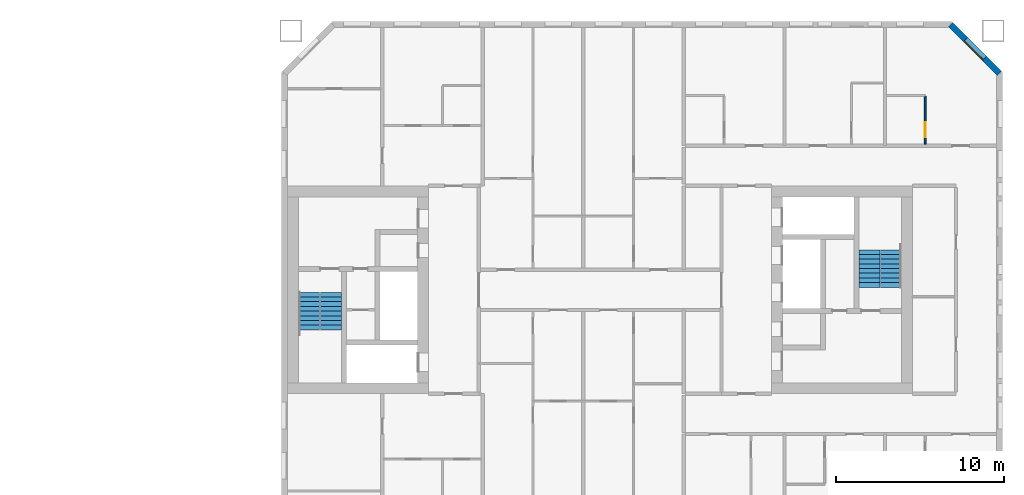
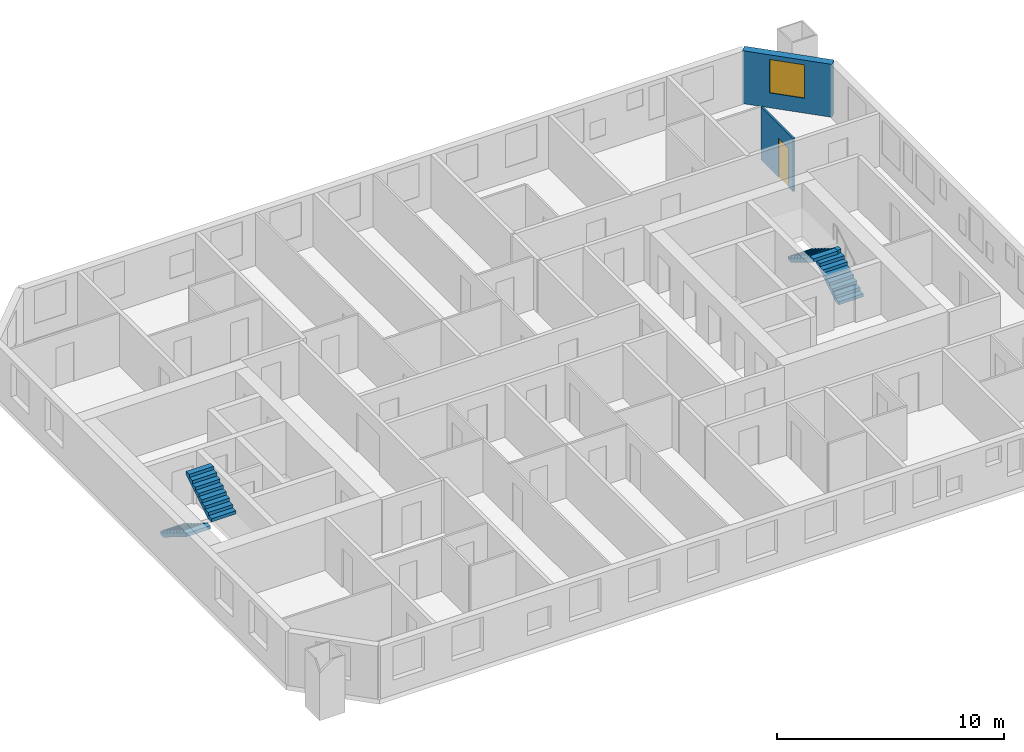
# One storey, part 15 of 17: 4 stair flights, 2 walls, 1 door, 1 window, 2 openings, 2 elements without a shape of their own.
"""IFC4 building model written with IfcOpenShell, lengths in metres."""

from ifc_helpers import new_model, si_unit, direction, frame, frame_2d, origin, place, context, subcontext, project, spatial, polyline, rectangle, outline, extrude, material, layer, layer_set, type_object, element, fill, aggregate, save


model = new_model("IFC4")

# Units and contexts
model_context = context("Model", 3, precision=1e-05, world=origin(), true_north=direction((0.0, 1.0)))
body_context = subcontext(model_context, "Body", "Model", "MODEL_VIEW")
ifc_project = project(units=[si_unit("LENGTHUNIT", "METRE"), si_unit("AREAUNIT", "SQUARE_METRE"), si_unit("VOLUMEUNIT", "CUBIC_METRE"), si_unit("PLANEANGLEUNIT", "RADIAN"), si_unit("MASSUNIT", "GRAM", prefix="KILO")], contexts=[model_context])

# Site, building, storey
site_placement = place(None, origin())
site = spatial("IfcSite", under=ifc_project, at=site_placement, CompositionType="ELEMENT")
building_placement = place(site_placement, origin())
building = spatial("IfcBuilding", under=site, at=building_placement, Name="Tuart Gate Housing", CompositionType="ELEMENT")
storey_placement = place(building_placement, frame((0.0, 0.0, 102.60009765625)))
storey = spatial("IfcBuildingStorey", under=building, at=storey_placement, Name="L28", CompositionType="ELEMENT", Elevation=102.60009765625)

# Wall, opening, window
ifc_material_1 = material(Name="Brick", Category="masonry")
ifc_layer_1 = layer(ifc_material_1, 0.360107421875)
ifc_layer_set_1 = layer_set([ifc_layer_1], Name="Brick pier and spandrel wall 360")
wall_type_1 = type_object("IfcWallType", Name="Brick pier and spandrel wall 360", PredefinedType="STANDARD", material=ifc_layer_set_1)
wall_1_placement = place(storey_placement, frame((173.820068359375, 82.92529296875, 0.0), z_axis=(0.0, 0.0, 1.0), x_axis=(-0.707106781187, 0.707106781187, 0.0)))
wall_1 = element("IfcWall", 1, at=wall_1_placement, inside=storey, type_object=wall_type_1, Name="External wall B-NE L28", PredefinedType="STANDARD", context=body_context, shape_type="SweptSolid", body=[
    extrude(rectangle(XDim=4.09375, YDim=0.360107421875, at=frame_2d((2.046875, 0.0))), origin(), (0.0, 0.0, 1.0), 2.849853515625),
])
opening_1_placement = place(wall_1_placement, frame((1.2470703125, 0.0, 0.800048828125)))
opening_1 = element("IfcOpeningElement", 2, at=opening_1_placement, cuts=wall_1, Name="Opening W1", PredefinedType="OPENING", context=body_context, shape_type="SweptSolid", body=[
    extrude(rectangle(XDim=1.60009765625, YDim=1.800048828125, at=frame_2d((0.800048828125, 0.89990234375))), frame((0.0, 0.18994140625, 0.0), z_axis=(0.0, -1.0, 0.0), x_axis=(1.0, 0.0, 0.0)), (0.0, 0.0, 1.0), 0.380126953125),
])
ifc_material_2 = material(Name="Aluminium frame with clear glass", Category="aluminium")
window_type = type_object("IfcWindowType", Name="Punched window 1600 x 1800", PartitioningType="SINGLE_PANEL", PredefinedType="WINDOW", material=ifc_material_2)
window_placement = place(opening_1_placement, origin())
window = element("IfcWindow", 3, at=window_placement, inside=storey, type_object=window_type, Name="Window W1", OverallHeight=1.800048828125, OverallWidth=1.60009765625, PartitioningType="SINGLE_PANEL", PredefinedType="WINDOW", context=body_context, shape_type="SweptSolid", body=[
    extrude(rectangle(XDim=1.60009765625, YDim=1.800048828125, at=frame_2d((0.800048828125, 0.89990234375))), frame((0.0, 0.150146484375, 0.0), z_axis=(0.0, -1.0, 0.0), x_axis=(1.0, 0.0, 0.0)), (0.0, 0.0, 1.0), 0.06005859375),
])
fill(opening_1, window)

# Wall, opening, door
ifc_material_3 = material(Name="Gypsum board on steel studs", Category="steel")
ifc_layer_2 = layer(ifc_material_3, 0.10009765625)
ifc_layer_set_2 = layer_set([ifc_layer_2], Name="Partition 100")
wall_type_2 = type_object("IfcWallType", Name="Partition 100", PredefinedType="PARTITIONING", material=ifc_layer_set_2)
wall_2_placement = place(storey_placement, frame((169.39990234375, 78.699951171875, 0.0), z_axis=(0.0, 0.0, 1.0), x_axis=(0.0, 1.0, 0.0)))
wall_2 = element("IfcWall", 4, at=wall_2_placement, inside=storey, type_object=wall_type_2, Name="Partition 100", PredefinedType="PARTITIONING", context=body_context, shape_type="SweptSolid", body=[
    extrude(rectangle(XDim=2.85009765625, YDim=0.10009765625, at=frame_2d((1.425048828125, 0.0))), origin(), (0.0, 0.0, 1.0), 2.849853515625),
])
opening_2_placement = place(wall_2_placement, frame((0.39990234375, 0.0, 0.0)))
opening_2 = element("IfcOpeningElement", 5, at=opening_2_placement, cuts=wall_2, Name="Opening D1129", PredefinedType="OPENING", context=body_context, shape_type="SweptSolid", body=[
    extrude(rectangle(XDim=0.89990234375, YDim=2.10009765625, at=frame_2d((0.449951171875, 1.050048828125))), frame((0.0, 0.06005859375, 0.0), z_axis=(0.0, -1.0, 0.0), x_axis=(1.0, 0.0, 0.0)), (0.0, 0.0, 1.0), 0.1201171875),
])
ifc_material_4 = material(Name="Timber door leaf in steel frame", Category="steel")
door_type = type_object("IfcDoorType", Name="Bathroom door 900", OperationType="SINGLE_SWING_LEFT", PredefinedType="DOOR", material=ifc_material_4)
door_placement = place(opening_2_placement, origin())
door = element("IfcDoor", 6, at=door_placement, inside=storey, type_object=door_type, Name="Bathroom door", OperationType="SINGLE_SWING_LEFT", OverallHeight=2.10009765625, OverallWidth=0.89990234375, PredefinedType="DOOR", context=body_context, shape_type="SweptSolid", body=[
    extrude(rectangle(XDim=0.89990234375, YDim=2.10009765625, at=frame_2d((0.449951171875, 1.050048828125))), frame((0.0, 0.02490234375, 0.0), z_axis=(0.0, -1.0, 0.0), x_axis=(1.0, 0.0, 0.0)), (0.0, 0.0, 1.0), 0.050048828125),
])
fill(opening_2, door)

# Stair, stair flights
ifc_material_5 = material(Name="Concrete C40", Category="concrete")
stair_type = type_object("IfcStairType", Name="Core stair 1250", PredefinedType="HALF_TURN_STAIR", material=ifc_material_5)
stair_1_placement = place(storey_placement, origin())
stair_1 = element("IfcStair", 7, at=stair_1_placement, inside=storey, type_object=stair_type, Name="Stair SB1", PredefinedType="HALF_TURN_STAIR")
ifc_material_6 = material(Name="Concrete C40", Category="concrete")
stair_flight_type = type_object("IfcStairFlightType", Name="Stair flight 1250, 9 risers 172 x 280", PredefinedType="STRAIGHT", material=ifc_material_6)
stair_flight_1_placement = place(storey_placement, frame((132.635009765625, 69.85009765625, 0.0), z_axis=(0.0, 0.0, 1.0), x_axis=(0.0, -1.0, 0.0)))
stair_flight_1 = element("IfcStairFlight", 8, at=stair_flight_1_placement, type_object=stair_flight_type, Name="SB1 flight 1", NumberOfRisers=9, NumberOfTreads=8, PredefinedType="STRAIGHT", RiserHeight=0.172222222, TreadLength=0.28, context=body_context, shape_type="SweptSolid", body=[
    extrude(outline(polyline([(0.0, 0.0), (0.0, 0.172119140625), (0.280029296875, 0.172119140625), (0.280029296875, 0.344482421875), (0.56005859375, 0.344482421875), (0.56005859375, 0.5166015625), (0.840087890625, 0.5166015625), (0.840087890625, 0.68896484375), (1.1201171875, 0.68896484375), (1.1201171875, 0.861083984375), (1.39990234375, 0.861083984375), (1.39990234375, 1.033447265625), (1.679931640625, 1.033447265625), (1.679931640625, 1.20556640625), (1.9599609375, 1.20556640625), (1.9599609375, 1.377685546875), (2.239990234375, 1.377685546875), (2.239990234375, 1.550048828125), (2.239990234375, 1.201904296875), (0.2861328125, 0.0), (0.0, 0.0)])), frame((0.0, 0.625, 0.0), z_axis=(0.0, -1.0, 0.0), x_axis=(1.0, 0.0, 0.0)), (0.0, 0.0, 1.0), 1.25),
])
stair_flight_2_placement = place(storey_placement, frame((133.93505859375, 67.610107421875, 1.5498046875), z_axis=(0.0, 0.0, 1.0), x_axis=(0.0, 1.0, 0.0)))
stair_flight_2 = element("IfcStairFlight", 9, at=stair_flight_2_placement, type_object=stair_flight_type, Name="SB1 flight 2", NumberOfRisers=9, NumberOfTreads=8, PredefinedType="STRAIGHT", RiserHeight=0.172222222, TreadLength=0.28, context=body_context, shape_type="SweptSolid", body=[
    extrude(outline(polyline([(0.0, 0.0), (0.0, 0.172119140625), (0.280029296875, 0.172119140625), (0.280029296875, 0.344482421875), (0.56005859375, 0.344482421875), (0.56005859375, 0.5166015625), (0.840087890625, 0.5166015625), (0.840087890625, 0.68896484375), (1.1201171875, 0.68896484375), (1.1201171875, 0.861083984375), (1.39990234375, 0.861083984375), (1.39990234375, 1.033447265625), (1.679931640625, 1.033447265625), (1.679931640625, 1.20556640625), (1.9599609375, 1.20556640625), (1.9599609375, 1.377685546875), (2.239990234375, 1.377685546875), (2.239990234375, 1.550048828125), (2.239990234375, 1.201904296875), (0.2861328125, 0.0), (0.0, 0.0)])), frame((0.0, 0.625, 0.0), z_axis=(0.0, -1.0, 0.0), x_axis=(1.0, 0.0, 0.0)), (0.0, 0.0, 1.0), 1.25),
])
aggregate(stair_1, [stair_flight_1, stair_flight_2])

stair_2_placement = place(storey_placement, origin())
stair_2 = element("IfcStair", 10, at=stair_2_placement, inside=storey, type_object=stair_type, Name="Stair SB2", PredefinedType="HALF_TURN_STAIR")
stair_flight_3_placement = place(storey_placement, frame((167.364990234375, 70.14990234375, 0.0), z_axis=(0.0, 0.0, 1.0), x_axis=(0.0, 1.0, 0.0)))
stair_flight_3 = element("IfcStairFlight", 11, at=stair_flight_3_placement, type_object=stair_flight_type, Name="SB2 flight 1", NumberOfRisers=9, NumberOfTreads=8, PredefinedType="STRAIGHT", RiserHeight=0.172222222, TreadLength=0.28, context=body_context, shape_type="SweptSolid", body=[
    extrude(outline(polyline([(0.0, 0.0), (0.0, 0.172119140625), (0.280029296875, 0.172119140625), (0.280029296875, 0.344482421875), (0.56005859375, 0.344482421875), (0.56005859375, 0.5166015625), (0.840087890625, 0.5166015625), (0.840087890625, 0.68896484375), (1.1201171875, 0.68896484375), (1.1201171875, 0.861083984375), (1.39990234375, 0.861083984375), (1.39990234375, 1.033447265625), (1.679931640625, 1.033447265625), (1.679931640625, 1.20556640625), (1.9599609375, 1.20556640625), (1.9599609375, 1.377685546875), (2.239990234375, 1.377685546875), (2.239990234375, 1.550048828125), (2.239990234375, 1.201904296875), (0.2861328125, 0.0), (0.0, 0.0)])), frame((0.0, 0.625, 0.0), z_axis=(0.0, -1.0, 0.0), x_axis=(1.0, 0.0, 0.0)), (0.0, 0.0, 1.0), 1.25),
])
stair_flight_4_placement = place(storey_placement, frame((166.06494140625, 72.389892578125, 1.5498046875), z_axis=(0.0, 0.0, 1.0), x_axis=(0.0, -1.0, 0.0)))
stair_flight_4 = element("IfcStairFlight", 12, at=stair_flight_4_placement, type_object=stair_flight_type, Name="SB2 flight 2", NumberOfRisers=9, NumberOfTreads=8, PredefinedType="STRAIGHT", RiserHeight=0.172222222, TreadLength=0.28, context=body_context, shape_type="SweptSolid", body=[
    extrude(outline(polyline([(0.0, 0.0), (0.0, 0.172119140625), (0.280029296875, 0.172119140625), (0.280029296875, 0.344482421875), (0.56005859375, 0.344482421875), (0.56005859375, 0.5166015625), (0.840087890625, 0.5166015625), (0.840087890625, 0.68896484375), (1.1201171875, 0.68896484375), (1.1201171875, 0.861083984375), (1.39990234375, 0.861083984375), (1.39990234375, 1.033447265625), (1.679931640625, 1.033447265625), (1.679931640625, 1.20556640625), (1.9599609375, 1.20556640625), (1.9599609375, 1.377685546875), (2.239990234375, 1.377685546875), (2.239990234375, 1.550048828125), (2.239990234375, 1.201904296875), (0.2861328125, 0.0), (0.0, 0.0)])), frame((0.0, 0.625, 0.0), z_axis=(0.0, -1.0, 0.0), x_axis=(1.0, 0.0, 0.0)), (0.0, 0.0, 1.0), 1.25),
])
aggregate(stair_2, [stair_flight_3, stair_flight_4])

save(model, "model.ifc")
